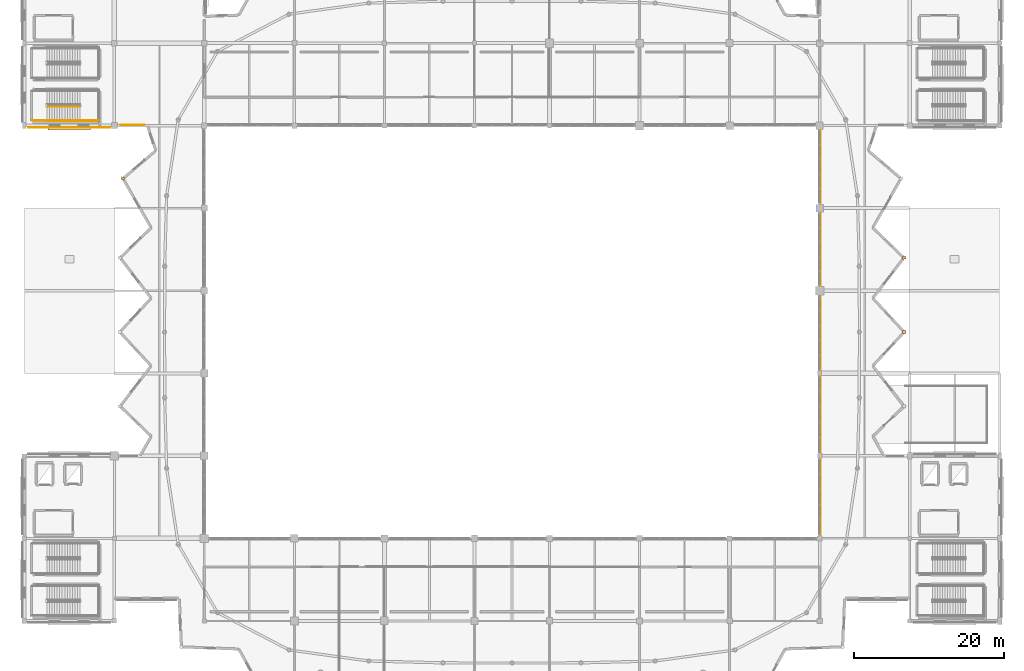
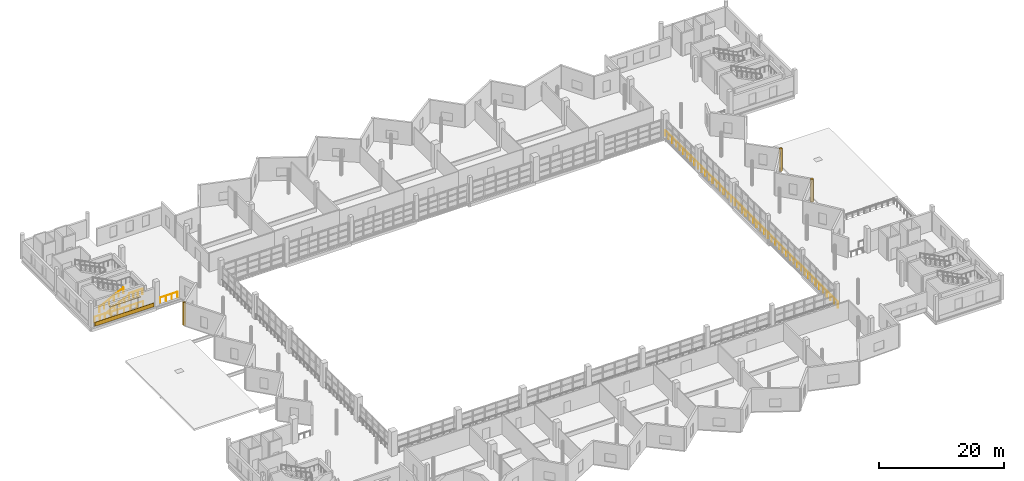
# One storey, part 49 of 53: 7 railings, 5 coverings.
"""IFC4 building model written with IfcOpenShell, lengths in metres."""

from ifc_helpers import new_model, si_unit, direction, frame, origin, origin_2d, place, context, subcontext, project, spatial, rectangle, circle, extrude, material, layer, layer_set, type_object, element, save


model = new_model("IFC4")

# Units and contexts
model_context = context("Model", 3, precision=1e-05, world=origin(), true_north=direction((0.0, 1.0)))
body_context = subcontext(model_context, "Body", "Model", "MODEL_VIEW")
ifc_project = project(units=[si_unit("LENGTHUNIT", "METRE"), si_unit("AREAUNIT", "SQUARE_METRE"), si_unit("VOLUMEUNIT", "CUBIC_METRE"), si_unit("PLANEANGLEUNIT", "RADIAN"), si_unit("MASSUNIT", "GRAM", prefix="KILO")], contexts=[model_context])

# Site, building, storey
site_placement = place(None, origin())
site = spatial("IfcSite", under=ifc_project, at=site_placement, CompositionType="ELEMENT")
building_placement = place(site_placement, origin())
building = spatial("IfcBuilding", under=site, at=building_placement, Name="Luwafu Chhajja Arena", CompositionType="ELEMENT")
storey_placement = place(building_placement, frame((0.0, 0.0, 19.5)))
storey = spatial("IfcBuildingStorey", under=building, at=storey_placement, Name="L04", CompositionType="ELEMENT", Elevation=19.5)

# Coverings
ifc_material_1 = material(Name="Red laterite sandstone cladding", Category="masonry")
ifc_layer = layer(ifc_material_1, 0.074951171875, Name="Red laterite sandstone cladding")
ifc_layer_set = layer_set([ifc_layer], Name="Red laterite sandstone cladding")
covering_type = type_object("IfcCoveringType", Name="Dressed Red-Laterite Sandstone Cladding", PredefinedType="CLADDING", material=ifc_layer_set)
for number, where, z_axis, x_axis, name in (
    (1, (151.300048828125, 49.5, 0.0), (0.0, 0.0, 1.0), (1.0, 0.0, 0.0), "L04 Pleated Bowl Sandstone Ridge Fin 01"),
    (2, (151.249755859375, 59.396240234375, 0.0), (0.0, 0.0, 1.0), (0.982532090849, 0.186093230539, 0.0), "L04 Pleated Bowl Sandstone Ridge Fin 02"),
    (3, (47.13720703125, 69.955322265625, 0.0), (0.0, 0.0, 1.0), (-0.930258694901, 0.366904293461, 0.0), "L04 Pleated Bowl Sandstone Ridge Fin 15"),
):
    element("IfcCovering", number, at=place(storey_placement, frame(where, z_axis=z_axis, x_axis=x_axis)), inside=storey, type_object=covering_type, Name=name, PredefinedType="CLADDING", context=body_context, shape_type="SweptSolid", body=[
        extrude(rectangle(XDim=0.4599609375, YDim=0.360107421875, at=origin_2d()), origin(), (0.0, 0.0, 1.0), 4.455078125),
    ])
covering_1_placement = place(storey_placement, frame((40.0, 76.76806640625, 0.0), z_axis=(0.0, 0.0, 1.0), x_axis=(1.0, 0.0, 0.0)))
element("IfcCovering", 4, at=covering_1_placement, inside=storey, type_object=covering_type, Name="L04 Red-Laterite Sandstone Plinth Cladding 108", PredefinedType="CLADDING", context=body_context, shape_type="SweptSolid", body=[
    extrude(rectangle(XDim=10.9599609375, YDim=0.0849609375, at=origin_2d()), origin(), (0.0, 0.0, 1.0), 0.760009765625),
])
covering_2_placement = place(storey_placement, frame((40.0, 76.639892578125, 2.93017578125), z_axis=(0.0, 0.0, 1.0), x_axis=(1.0, 0.0, 0.0)))
element("IfcCovering", 5, at=covering_2_placement, inside=storey, type_object=covering_type, Name="L04 Mughal Sandstone Window Chhajja Hood 0100", PredefinedType="CLADDING", context=body_context, shape_type="SweptSolid", body=[
    extrude(rectangle(XDim=5.703369140625, YDim=0.419921875, at=origin_2d()), origin(), (0.0, 0.0, 1.0), 0.139892578125),
])

# Railings
ifc_material_2 = material(Name="Stainless steel balustrade", Category="steel")
railing_type_1 = type_object("IfcRailingType", Name="Seating Bowl Sightline Barrier 1100", PredefinedType="BALUSTRADE", material=ifc_material_2)
railing_1_placement = place(storey_placement, frame((140.14990234375, 21.85009765625, 0.0)))
element("IfcRailing", 6, at=railing_1_placement, inside=storey, type_object=railing_type_1, Name="L04 Bowl Rim Guard 0041", PredefinedType="BALUSTRADE", context=body_context, shape_type="SweptSolid", body=[
    extrude(circle(Radius=0.02392578125, at=origin_2d()), frame((0.0, 0.0, 1.09619140625), z_axis=(0.0, 1.0, 0.0), x_axis=(-1.0, 0.0, 0.0)), (0.0, 0.0, 1.0), 55.2998046875),
    extrude(circle(Radius=0.02099609375, at=origin_2d()), origin(), (0.0, 0.0, 1.0), 1.072021484375),
    extrude(circle(Radius=0.02099609375, at=origin_2d()), frame((0.0, 1.176513671875, 0.0)), (0.0, 0.0, 1.0), 1.072021484375),
    extrude(circle(Radius=0.02099609375, at=origin_2d()), frame((0.0, 2.353271484375, 0.0)), (0.0, 0.0, 1.0), 1.072021484375),
    extrude(circle(Radius=0.02099609375, at=origin_2d()), frame((0.0, 3.52978515625, 0.0)), (0.0, 0.0, 1.0), 1.072021484375),
    extrude(circle(Radius=0.02099609375, at=origin_2d()), frame((0.0, 4.706298828125, 0.0)), (0.0, 0.0, 1.0), 1.072021484375),
    extrude(circle(Radius=0.02099609375, at=origin_2d()), frame((0.0, 5.883056640625, 0.0)), (0.0, 0.0, 1.0), 1.072021484375),
    extrude(circle(Radius=0.02099609375, at=origin_2d()), frame((0.0, 7.0595703125, 0.0)), (0.0, 0.0, 1.0), 1.072021484375),
    extrude(circle(Radius=0.02099609375, at=origin_2d()), frame((0.0, 8.236083984375, 0.0)), (0.0, 0.0, 1.0), 1.072021484375),
    extrude(circle(Radius=0.02099609375, at=origin_2d()), frame((0.0, 9.412841796875, 0.0)), (0.0, 0.0, 1.0), 1.072021484375),
    extrude(circle(Radius=0.02099609375, at=origin_2d()), frame((0.0, 10.58935546875, 0.0)), (0.0, 0.0, 1.0), 1.072021484375),
    extrude(circle(Radius=0.02099609375, at=origin_2d()), frame((0.0, 11.765869140625, 0.0)), (0.0, 0.0, 1.0), 1.072021484375),
    extrude(circle(Radius=0.02099609375, at=origin_2d()), frame((0.0, 12.942626953125, 0.0)), (0.0, 0.0, 1.0), 1.072021484375),
    extrude(circle(Radius=0.02099609375, at=origin_2d()), frame((0.0, 14.119140625, 0.0)), (0.0, 0.0, 1.0), 1.072021484375),
    extrude(circle(Radius=0.02099609375, at=origin_2d()), frame((0.0, 15.295654296875, 0.0)), (0.0, 0.0, 1.0), 1.072021484375),
    extrude(circle(Radius=0.02099609375, at=origin_2d()), frame((0.0, 16.47216796875, 0.0)), (0.0, 0.0, 1.0), 1.072021484375),
    extrude(circle(Radius=0.02099609375, at=origin_2d()), frame((0.0, 17.64892578125, 0.0)), (0.0, 0.0, 1.0), 1.072021484375),
    extrude(circle(Radius=0.02099609375, at=origin_2d()), frame((0.0, 18.825439453125, 0.0)), (0.0, 0.0, 1.0), 1.072021484375),
    extrude(circle(Radius=0.02099609375, at=origin_2d()), frame((0.0, 20.001953125, 0.0)), (0.0, 0.0, 1.0), 1.072021484375),
    extrude(circle(Radius=0.02099609375, at=origin_2d()), frame((0.0, 21.1787109375, 0.0)), (0.0, 0.0, 1.0), 1.072021484375),
    extrude(circle(Radius=0.02099609375, at=origin_2d()), frame((0.0, 22.355224609375, 0.0)), (0.0, 0.0, 1.0), 1.072021484375),
    extrude(circle(Radius=0.02099609375, at=origin_2d()), frame((0.0, 23.53173828125, 0.0)), (0.0, 0.0, 1.0), 1.072021484375),
    extrude(circle(Radius=0.02099609375, at=origin_2d()), frame((0.0, 24.70849609375, 0.0)), (0.0, 0.0, 1.0), 1.072021484375),
    extrude(circle(Radius=0.02099609375, at=origin_2d()), frame((0.0, 25.885009765625, 0.0)), (0.0, 0.0, 1.0), 1.072021484375),
    extrude(circle(Radius=0.02099609375, at=origin_2d()), frame((0.0, 27.0615234375, 0.0)), (0.0, 0.0, 1.0), 1.072021484375),
    extrude(circle(Radius=0.02099609375, at=origin_2d()), frame((0.0, 28.23828125, 0.0)), (0.0, 0.0, 1.0), 1.072021484375),
    extrude(circle(Radius=0.02099609375, at=origin_2d()), frame((0.0, 29.414794921875, 0.0)), (0.0, 0.0, 1.0), 1.072021484375),
    extrude(circle(Radius=0.02099609375, at=origin_2d()), frame((0.0, 30.59130859375, 0.0)), (0.0, 0.0, 1.0), 1.072021484375),
    extrude(circle(Radius=0.02099609375, at=origin_2d()), frame((0.0, 31.76806640625, 0.0)), (0.0, 0.0, 1.0), 1.072021484375),
    extrude(circle(Radius=0.02099609375, at=origin_2d()), frame((0.0, 32.944580078125, 0.0)), (0.0, 0.0, 1.0), 1.072021484375),
    extrude(circle(Radius=0.02099609375, at=origin_2d()), frame((0.0, 34.12109375, 0.0)), (0.0, 0.0, 1.0), 1.072021484375),
    extrude(circle(Radius=0.02099609375, at=origin_2d()), frame((0.0, 35.2978515625, 0.0)), (0.0, 0.0, 1.0), 1.072021484375),
    extrude(circle(Radius=0.02099609375, at=origin_2d()), frame((0.0, 36.474365234375, 0.0)), (0.0, 0.0, 1.0), 1.072021484375),
    extrude(circle(Radius=0.02099609375, at=origin_2d()), frame((0.0, 37.65087890625, 0.0)), (0.0, 0.0, 1.0), 1.072021484375),
    extrude(circle(Radius=0.02099609375, at=origin_2d()), frame((0.0, 38.82763671875, 0.0)), (0.0, 0.0, 1.0), 1.072021484375),
    extrude(circle(Radius=0.02099609375, at=origin_2d()), frame((0.0, 40.004150390625, 0.0)), (0.0, 0.0, 1.0), 1.072021484375),
    extrude(circle(Radius=0.02099609375, at=origin_2d()), frame((0.0, 41.1806640625, 0.0)), (0.0, 0.0, 1.0), 1.072021484375),
    extrude(circle(Radius=0.02099609375, at=origin_2d()), frame((0.0, 42.357177734375, 0.0)), (0.0, 0.0, 1.0), 1.072021484375),
    extrude(circle(Radius=0.02099609375, at=origin_2d()), frame((0.0, 43.533935546875, 0.0)), (0.0, 0.0, 1.0), 1.072021484375),
    extrude(circle(Radius=0.02099609375, at=origin_2d()), frame((0.0, 44.71044921875, 0.0)), (0.0, 0.0, 1.0), 1.072021484375),
    extrude(circle(Radius=0.02099609375, at=origin_2d()), frame((0.0, 45.886962890625, 0.0)), (0.0, 0.0, 1.0), 1.072021484375),
    extrude(circle(Radius=0.02099609375, at=origin_2d()), frame((0.0, 47.063720703125, 0.0)), (0.0, 0.0, 1.0), 1.072021484375),
    extrude(circle(Radius=0.02099609375, at=origin_2d()), frame((0.0, 48.240234375, 0.0)), (0.0, 0.0, 1.0), 1.072021484375),
    extrude(circle(Radius=0.02099609375, at=origin_2d()), frame((0.0, 49.416748046875, 0.0)), (0.0, 0.0, 1.0), 1.072021484375),
    extrude(circle(Radius=0.02099609375, at=origin_2d()), frame((0.0, 50.593505859375, 0.0)), (0.0, 0.0, 1.0), 1.072021484375),
    extrude(circle(Radius=0.02099609375, at=origin_2d()), frame((0.0, 51.77001953125, 0.0)), (0.0, 0.0, 1.0), 1.072021484375),
    extrude(circle(Radius=0.02099609375, at=origin_2d()), frame((0.0, 52.946533203125, 0.0)), (0.0, 0.0, 1.0), 1.072021484375),
    extrude(circle(Radius=0.02099609375, at=origin_2d()), frame((0.0, 54.123291015625, 0.0)), (0.0, 0.0, 1.0), 1.072021484375),
    extrude(circle(Radius=0.02099609375, at=origin_2d()), frame((0.0, 55.2998046875, 0.0)), (0.0, 0.0, 1.0), 1.072021484375),
])
ifc_material_3 = material(Name="Stainless steel handrail", Category="steel")
railing_type_2 = type_object("IfcRailingType", Name="Stair Pitch Wall Handrail 920", PredefinedType="HANDRAIL", material=ifc_material_3)
railing_2_placement = place(storey_placement, frame((37.02001953125, 77.699951171875, 0.17138671875)))
element("IfcRailing", 7, at=railing_2_placement, inside=storey, type_object=railing_type_2, Name="L04 ST-05 stair handrail 1", PredefinedType="HANDRAIL", context=body_context, shape_type="SweptSolid", body=[
    extrude(circle(Radius=0.02392578125, at=origin_2d()), frame((0.0, 0.0, 0.8759765625), z_axis=(0.89292277971, 0.0, 0.450209850486), x_axis=(0.0, 1.0, 0.0)), (0.0, 0.0, 1.0), 4.949951171875),
    extrude(circle(Radius=0.02099609375, at=origin_2d()), origin(), (0.0, 0.0, 1.0), 0.851806640625),
    extrude(circle(Radius=0.02099609375, at=origin_2d()), frame((0.884033203125, 0.0, 0.44580078125)), (0.0, 0.0, 1.0), 0.851806640625),
    extrude(circle(Radius=0.02099609375, at=origin_2d()), frame((1.76806640625, 0.0, 0.891357421875)), (0.0, 0.0, 1.0), 0.851806640625),
    extrude(circle(Radius=0.02099609375, at=origin_2d()), frame((2.65185546875, 0.0, 1.337158203125)), (0.0, 0.0, 1.0), 0.851806640625),
    extrude(circle(Radius=0.02099609375, at=origin_2d()), frame((3.535888671875, 0.0, 1.78271484375)), (0.0, 0.0, 1.0), 0.851806640625),
    extrude(circle(Radius=0.02099609375, at=origin_2d()), frame((4.419921875, 0.0, 2.228515625)), (0.0, 0.0, 1.0), 0.851806640625),
])
railing_type_3 = type_object("IfcRailingType", Name="Stair and Terrace Guard Balustrade 1100", PredefinedType="BALUSTRADE", material=ifc_material_2)
railing_3_placement = place(storey_placement, frame((37.02001953125, 79.52001953125, 0.17138671875)))
element("IfcRailing", 8, at=railing_3_placement, inside=storey, type_object=railing_type_3, Name="L04 ST-05 stair guard 1", PredefinedType="BALUSTRADE", context=body_context, shape_type="SweptSolid", body=[
    extrude(circle(Radius=0.02392578125, at=origin_2d()), frame((0.0, 0.0, 1.076171875), z_axis=(0.89292277971, 0.0, 0.450209850486), x_axis=(0.0, 1.0, 0.0)), (0.0, 0.0, 1.0), 4.949951171875),
    extrude(circle(Radius=0.02099609375, at=origin_2d()), origin(), (0.0, 0.0, 1.0), 1.052001953125),
    extrude(circle(Radius=0.02099609375, at=origin_2d()), frame((0.884033203125, 0.0, 0.44580078125)), (0.0, 0.0, 1.0), 1.052001953125),
    extrude(circle(Radius=0.02099609375, at=origin_2d()), frame((1.76806640625, 0.0, 0.891357421875)), (0.0, 0.0, 1.0), 1.052001953125),
    extrude(circle(Radius=0.02099609375, at=origin_2d()), frame((2.65185546875, 0.0, 1.337158203125)), (0.0, 0.0, 1.0), 1.052001953125),
    extrude(circle(Radius=0.02099609375, at=origin_2d()), frame((3.535888671875, 0.0, 1.78271484375)), (0.0, 0.0, 1.0), 1.052001953125),
    extrude(circle(Radius=0.02099609375, at=origin_2d()), frame((4.419921875, 0.0, 2.228515625)), (0.0, 0.0, 1.0), 1.052001953125),
])
railing_4_placement = place(storey_placement, frame((41.43994140625, 77.699951171875, 2.39990234375)))
element("IfcRailing", 9, at=railing_4_placement, inside=storey, type_object=railing_type_3, Name="L04 ST-05 stair guard 3", PredefinedType="BALUSTRADE", context=body_context, shape_type="SweptSolid", body=[
    extrude(circle(Radius=0.02392578125, at=origin_2d()), frame((0.0, 0.0, 1.076171875), z_axis=(1.0, 0.0, 0.0), x_axis=(0.0, 1.0, 0.0)), (0.0, 0.0, 1.0), 2.4599609375),
    extrude(circle(Radius=0.02099609375, at=origin_2d()), origin(), (0.0, 0.0, 1.0), 1.052001953125),
    extrude(circle(Radius=0.02099609375, at=origin_2d()), frame((0.820068359375, 0.0, 0.0)), (0.0, 0.0, 1.0), 1.052001953125),
    extrude(circle(Radius=0.02099609375, at=origin_2d()), frame((1.639892578125, 0.0, 0.0)), (0.0, 0.0, 1.0), 1.052001953125),
    extrude(circle(Radius=0.02099609375, at=origin_2d()), frame((2.4599609375, 0.0, 0.0)), (0.0, 0.0, 1.0), 1.052001953125),
])
railing_5_placement = place(storey_placement, frame((35.10009765625, 77.699951171875, 0.0)))
element("IfcRailing", 10, at=railing_5_placement, inside=storey, type_object=railing_type_3, Name="L04 ST-05 stair guard 8", PredefinedType="BALUSTRADE", context=body_context, shape_type="SweptSolid", body=[
    extrude(circle(Radius=0.02392578125, at=origin_2d()), frame((0.0, 0.0, 1.076171875), z_axis=(1.0, 0.0, 0.0), x_axis=(0.0, 1.0, 0.0)), (0.0, 0.0, 1.0), 1.919921875),
    extrude(circle(Radius=0.02099609375, at=origin_2d()), origin(), (0.0, 0.0, 1.0), 1.052001953125),
    extrude(circle(Radius=0.02099609375, at=origin_2d()), frame((0.9599609375, 0.0, 0.0)), (0.0, 0.0, 1.0), 1.052001953125),
    extrude(circle(Radius=0.02099609375, at=origin_2d()), frame((1.919921875, 0.0, 0.0)), (0.0, 0.0, 1.0), 1.052001953125),
])
railing_6_placement = place(storey_placement, frame((36.919921875, 77.60009765625, 0.0)))
element("IfcRailing", 11, at=railing_6_placement, inside=storey, type_object=railing_type_3, Name="L04 ST-05 stair guard 10", PredefinedType="BALUSTRADE", context=body_context, shape_type="SweptSolid", body=[
    extrude(circle(Radius=0.02392578125, at=origin_2d()), frame((0.0, 0.0, 1.076171875), z_axis=(1.0, 0.0, 0.0), x_axis=(0.0, 1.0, 0.0)), (0.0, 0.0, 1.0), 7.080078125),
    extrude(circle(Radius=0.02099609375, at=origin_2d()), origin(), (0.0, 0.0, 1.0), 1.052001953125),
    extrude(circle(Radius=0.02099609375, at=origin_2d()), frame((1.179931640625, 0.0, 0.0)), (0.0, 0.0, 1.0), 1.052001953125),
    extrude(circle(Radius=0.02099609375, at=origin_2d()), frame((2.360107421875, 0.0, 0.0)), (0.0, 0.0, 1.0), 1.052001953125),
    extrude(circle(Radius=0.02099609375, at=origin_2d()), frame((3.5400390625, 0.0, 0.0)), (0.0, 0.0, 1.0), 1.052001953125),
    extrude(circle(Radius=0.02099609375, at=origin_2d()), frame((4.719970703125, 0.0, 0.0)), (0.0, 0.0, 1.0), 1.052001953125),
    extrude(circle(Radius=0.02099609375, at=origin_2d()), frame((5.900146484375, 0.0, 0.0)), (0.0, 0.0, 1.0), 1.052001953125),
    extrude(circle(Radius=0.02099609375, at=origin_2d()), frame((7.080078125, 0.0, 0.0)), (0.0, 0.0, 1.0), 1.052001953125),
])
railing_7_placement = place(storey_placement, frame((50.02587890625, 77.10009765625, 0.0)))
element("IfcRailing", 12, at=railing_7_placement, inside=storey, type_object=railing_type_3, Name="L04 Outer Slab Edge Guard 004", PredefinedType="BALUSTRADE", context=body_context, shape_type="SweptSolid", body=[
    extrude(circle(Radius=0.02392578125, at=origin_2d()), frame((0.0, 0.0, 1.09619140625), z_axis=(-1.0, 0.0, 0.0), x_axis=(0.0, -1.0, 0.0)), (0.0, 0.0, 1.0), 3.17578125),
    extrude(circle(Radius=0.02099609375, at=origin_2d()), origin(), (0.0, 0.0, 1.0), 1.072021484375),
    extrude(circle(Radius=0.02099609375, at=origin_2d()), frame((-1.05859375, 0.0, 0.0)), (0.0, 0.0, 1.0), 1.072021484375),
    extrude(circle(Radius=0.02099609375, at=origin_2d()), frame((-2.1171875, 0.0, 0.0)), (0.0, 0.0, 1.0), 1.072021484375),
    extrude(circle(Radius=0.02099609375, at=origin_2d()), frame((-3.17578125, 0.0, 0.0)), (0.0, 0.0, 1.0), 1.072021484375),
])

save(model, "model.ifc")
